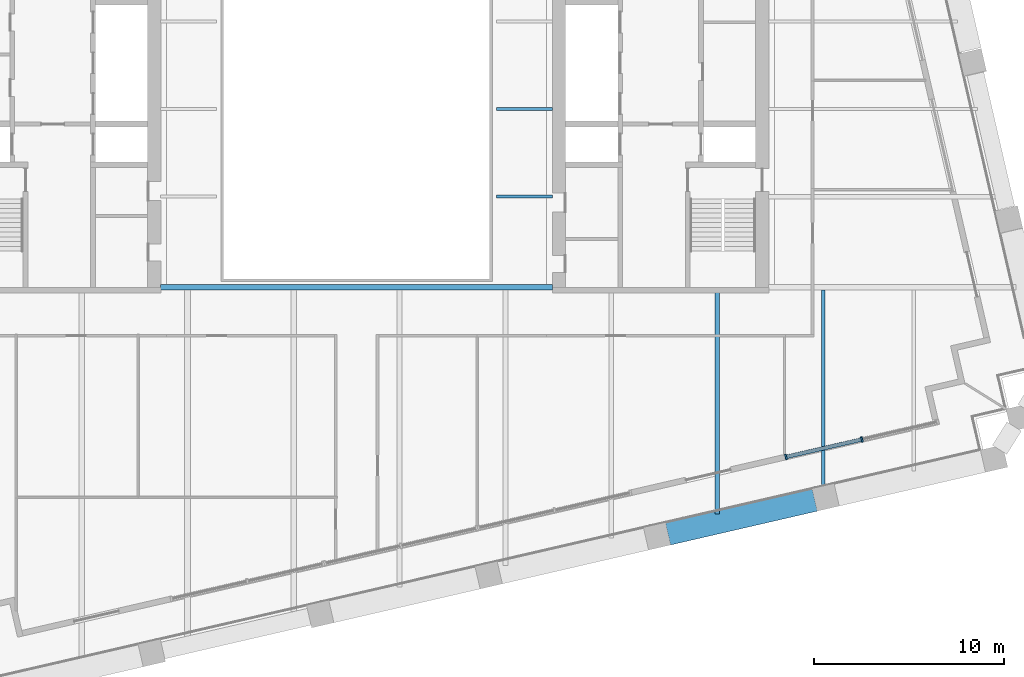
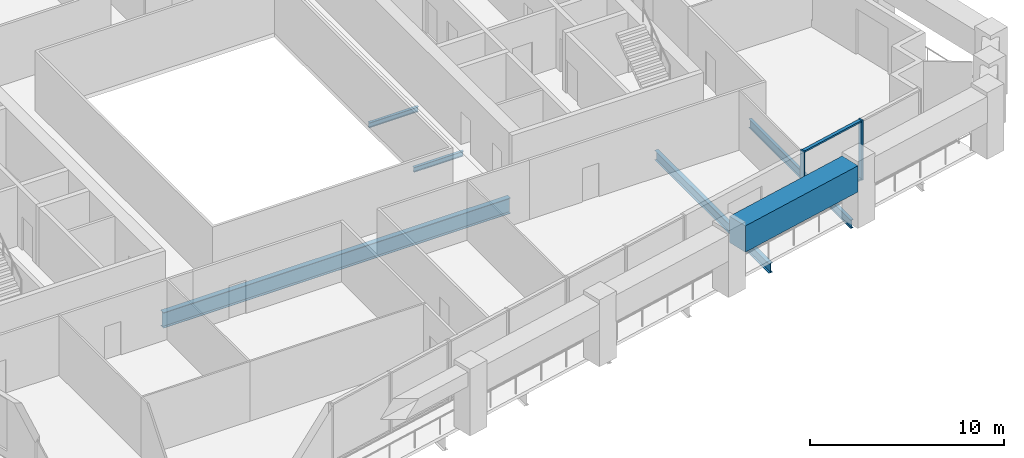
# One storey, part 3 of 14: 6 beams, 4 members, 1 element without a shape of its own.
"""IFC4 building model written with IfcOpenShell, lengths in metres."""

from ifc_helpers import new_model, si_unit, direction, frame, origin, origin_2d, place, context, subcontext, project, spatial, rectangle, i_section, extrude, material, material_profile, profile_set, type_object, element, aggregate, save


model = new_model("IFC4")

# Units and contexts
model_context = context("Model", 3, precision=1e-05, world=origin(), true_north=direction((0.0, 1.0)))
body_context = subcontext(model_context, "Body", "Model", "MODEL_VIEW")
ifc_project = project(units=[si_unit("LENGTHUNIT", "METRE"), si_unit("AREAUNIT", "SQUARE_METRE"), si_unit("VOLUMEUNIT", "CUBIC_METRE"), si_unit("PLANEANGLEUNIT", "RADIAN"), si_unit("MASSUNIT", "GRAM", prefix="KILO")], contexts=[model_context])

# Site, building, storey
site_placement = place(None, origin())
site = spatial("IfcSite", under=ifc_project, at=site_placement, CompositionType="ELEMENT")
building_placement = place(site_placement, origin())
building = spatial("IfcBuilding", under=site, at=building_placement, Name="Ogive Exchange Tower", CompositionType="ELEMENT")
storey_placement = place(building_placement, frame((0.0, 0.0, 222.0)))
storey = spatial("IfcBuildingStorey", under=building, at=storey_placement, Name="L49", CompositionType="ELEMENT", Elevation=222.0)

# Curtain wall, members
ifc_material_1 = material(Name="Anodised aluminium and clear glass", Category="aluminium")
curtain_wall_type = type_object("IfcCurtainWallType", Name="Executive floor glazing", PredefinedType="NOTDEFINED", material=ifc_material_1)
curtain_wall_placement = place(storey_placement, origin())
curtain_wall = element("IfcCurtainWall", 1, at=curtain_wall_placement, inside=storey, type_object=curtain_wall_type, Name="Executive floor glazing run G6", PredefinedType="NOTDEFINED")
ifc_material_2 = material(Name="Anodised aluminium", Category="aluminium")
ifc_material_profile_1 = material_profile(ifc_material_2, rectangle(XDim=0.280029296875, YDim=0.10009765625, at=origin_2d()), Name="AL 100x280")
ifc_profile_set_1 = profile_set([ifc_material_profile_1], Name="Anodised aluminium")
member_type_1 = type_object("IfcMemberType", Name="Executive floor glazing mullion 100 x 280", PredefinedType="MULLION", material=ifc_profile_set_1)
member_1_placement = place(storey_placement, frame((22.6005859375, -11.3779296875, 0.0), z_axis=(0.0, 0.0, 1.0), x_axis=(-0.224951017509, 0.974370073289, 0.0)))
member_1 = element("IfcMember", 2, at=member_1_placement, type_object=member_type_1, Name="G6 mullion 1", PredefinedType="MULLION", context=body_context, shape_type="SweptSolid", body=[
    extrude(rectangle(XDim=0.280029296875, YDim=0.10009765625, at=origin_2d()), origin(), (0.0, 0.0, 1.0), 3.75),
])
member_2_placement = place(storey_placement, frame((26.595458984375, -10.45556640625, 0.0), z_axis=(0.0, 0.0, 1.0), x_axis=(-0.224951017509, 0.974370073289, 0.0)))
member_2 = element("IfcMember", 3, at=member_2_placement, type_object=member_type_1, Name="G6 mullion 2", PredefinedType="MULLION", context=body_context, shape_type="SweptSolid", body=[
    extrude(rectangle(XDim=0.280029296875, YDim=0.10009765625, at=origin_2d()), origin(), (0.0, 0.0, 1.0), 3.75),
])
ifc_material_profile_2 = material_profile(ifc_material_2, rectangle(XDim=0.199951171875, YDim=0.10009765625, at=origin_2d()), Name="AL 100x200")
ifc_profile_set_2 = profile_set([ifc_material_profile_2], Name="Anodised aluminium")
member_type_2 = type_object("IfcMemberType", Name="Executive floor glazing transom 100 x 200", PredefinedType="USERDEFINED", material=ifc_profile_set_2)
member_3_placement = place(storey_placement, frame((22.6494140625, -11.36669921875, 0.050048828125), z_axis=(0.974364443081, 0.224975403232, 0.0), x_axis=(-0.224975403232, 0.974364443081, 0.0)))
member_3 = element("IfcMember", 4, at=member_3_placement, type_object=member_type_2, Name="G6 transom 1.1", ObjectType="TRANSOM", PredefinedType="USERDEFINED", context=body_context, shape_type="SweptSolid", body=[
    extrude(rectangle(XDim=0.199951171875, YDim=0.10009765625, at=origin_2d()), origin(), (0.0, 0.0, 1.0), 4.0),
])
member_4_placement = place(storey_placement, frame((22.6494140625, -11.36669921875, 3.699951171875), z_axis=(0.974364443081, 0.224975403232, 0.0), x_axis=(-0.224975403232, 0.974364443081, 0.0)))
member_4 = element("IfcMember", 5, at=member_4_placement, type_object=member_type_2, Name="G6 transom 1.2", ObjectType="TRANSOM", PredefinedType="USERDEFINED", context=body_context, shape_type="SweptSolid", body=[
    extrude(rectangle(XDim=0.199951171875, YDim=0.10009765625, at=origin_2d()), origin(), (0.0, 0.0, 1.0), 4.0),
])
aggregate(curtain_wall, [member_1, member_2, member_3, member_4])

# Beams
ifc_material_3 = material(Name="Steel ASTM A992 Gr50", Category="steel")
ifc_material_profile_3 = material_profile(ifc_material_3, i_section(OverallWidth=0.1650390625, OverallDepth=0.31005859375, WebThickness=0.005859375, FlangeThickness=0.009765625, at=origin_2d()), Name="W310x38.7")
ifc_profile_set_3 = profile_set([ifc_material_profile_3], Name="Steel ASTM A992 Gr50")
beam_type_1 = type_object("IfcBeamType", Name="Floor beam W310x38.7", PredefinedType="JOIST", material=ifc_profile_set_3)
for number, where, z_axis, x_axis, name in (
    (6, (7.3701171875, 2.3212890625, -0.405029296875), (1.0, 0.0, 0.0), (0.0, 1.0, 0.0), "Floor beam"),
    (7, (7.3701171875, 6.9326171875, -0.405029296875), (1.0, 0.0, 0.0), (0.0, 1.0, 0.0), "Floor beam"),
):
    element("IfcBeam", number, at=place(storey_placement, frame(where, z_axis=z_axis, x_axis=x_axis)), inside=storey, type_object=beam_type_1, Name=name, PredefinedType="JOIST", context=body_context, shape_type="SweptSolid", body=[
        extrude(i_section(OverallWidth=0.1650390625, OverallDepth=0.31005859375, WebThickness=0.005859375, FlangeThickness=0.009765625, at=origin_2d()), origin(), (0.0, 0.0, 1.0), 2.949951171875),
    ])
ifc_material_profile_4 = material_profile(ifc_material_3, i_section(OverallWidth=0.1669921875, OverallDepth=0.535888671875, WebThickness=0.01025390625, FlangeThickness=0.0166015625, at=origin_2d()), Name="W530x85")
ifc_profile_set_4 = profile_set([ifc_material_profile_4], Name="Steel ASTM A992 Gr50")
beam_type_2 = type_object("IfcBeamType", Name="Floor beam W530x85", PredefinedType="JOIST", material=ifc_profile_set_4)
beam_1_placement = place(storey_placement, frame((24.557861328125, -13.081298828125, -0.51806640625), z_axis=(0.0, 1.0, 0.0), x_axis=(-1.0, 0.0, 0.0)))
element("IfcBeam", 8, at=beam_1_placement, inside=storey, type_object=beam_type_2, Name="Floor beam", PredefinedType="JOIST", context=body_context, shape_type="SweptSolid", body=[
    extrude(i_section(OverallWidth=0.1669921875, OverallDepth=0.535888671875, WebThickness=0.01025390625, FlangeThickness=0.0166015625, at=origin_2d()), origin(), (0.0, 0.0, 1.0), 10.502685546875),
])
ifc_material_profile_5 = material_profile(ifc_material_3, i_section(OverallWidth=0.22802734375, OverallDepth=0.60205078125, WebThickness=0.010498046875, FlangeThickness=0.014892578125, at=origin_2d()), Name="W610x101")
ifc_profile_set_5 = profile_set([ifc_material_profile_5], Name="Steel ASTM A992 Gr50")
beam_type_3 = type_object("IfcBeamType", Name="Floor beam W610x101", PredefinedType="JOIST", material=ifc_profile_set_5)
beam_2_placement = place(storey_placement, frame((18.982177734375, -14.36865234375, -0.551025390625), z_axis=(0.0, 1.0, 0.0), x_axis=(-1.0, 0.0, 0.0)))
element("IfcBeam", 9, at=beam_2_placement, inside=storey, type_object=beam_type_3, Name="Floor beam", PredefinedType="JOIST", context=body_context, shape_type="SweptSolid", body=[
    extrude(i_section(OverallWidth=0.22802734375, OverallDepth=0.60205078125, WebThickness=0.010498046875, FlangeThickness=0.014892578125, at=origin_2d()), origin(), (0.0, 0.0, 1.0), 11.7685546875),
])
ifc_material_profile_6 = material_profile(ifc_material_3, i_section(OverallWidth=0.300048828125, OverallDepth=0.97998046875, WebThickness=0.0166015625, FlangeThickness=0.026123046875, at=origin_2d()), Name="W1000x249")
ifc_profile_set_6 = profile_set([ifc_material_profile_6], Name="Steel ASTM A992 Gr50")
beam_type_4 = type_object("IfcBeamType", Name="Girder W1000x249", PredefinedType="BEAM", material=ifc_profile_set_6)
beam_3_placement = place(storey_placement, frame((-10.320068359375, -2.445068359375, -0.739990234375), z_axis=(1.0, 0.0, 0.0), x_axis=(0.0, 1.0, 0.0)))
element("IfcBeam", 10, at=beam_3_placement, inside=storey, type_object=beam_type_4, Name="Header girder", PredefinedType="BEAM", context=body_context, shape_type="SweptSolid", body=[
    extrude(i_section(OverallWidth=0.300048828125, OverallDepth=0.97998046875, WebThickness=0.0166015625, FlangeThickness=0.026123046875, at=origin_2d()), origin(), (0.0, 0.0, 1.0), 20.64013671875),
])
ifc_material_4 = material(Name="Precast concrete C70/85 (limestone faced)", Category="masonry")
ifc_material_profile_7 = material_profile(ifc_material_4, rectangle(XDim=1.199951171875, YDim=1.64990234375, at=origin_2d()), Name="1200 x 1650")
ifc_profile_set_7 = profile_set([ifc_material_profile_7], Name="Precast concrete C70/85 (limestone faced)")
beam_type_5 = type_object("IfcBeamType", Name="Precast portal sill beam 1200 x 1650 C70/85", PredefinedType="BEAM", material=ifc_profile_set_7)
beam_4_placement = place(storey_placement, frame((16.3828125, -15.430419921875, 3.125), z_axis=(0.974369944206, 0.224951576629, 0.0), x_axis=(-0.224951576629, 0.974369944206, 0.0)))
element("IfcBeam", 11, at=beam_4_placement, inside=storey, type_object=beam_type_5, Name="Slot sill beam 5", PredefinedType="BEAM", context=body_context, shape_type="SweptSolid", body=[
    extrude(rectangle(XDim=1.199951171875, YDim=1.64990234375, at=origin_2d()), origin(), (0.0, 0.0, 1.0), 7.940185546875),
])

save(model, "model.ifc")
